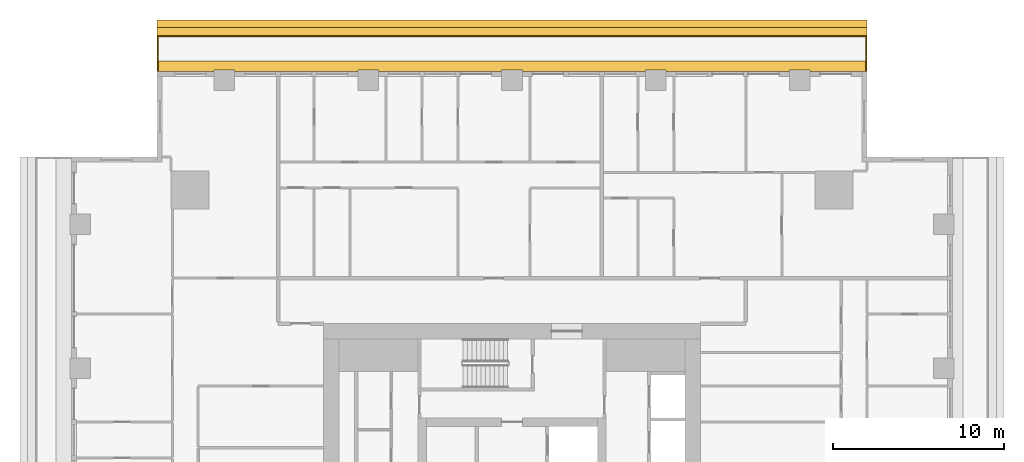
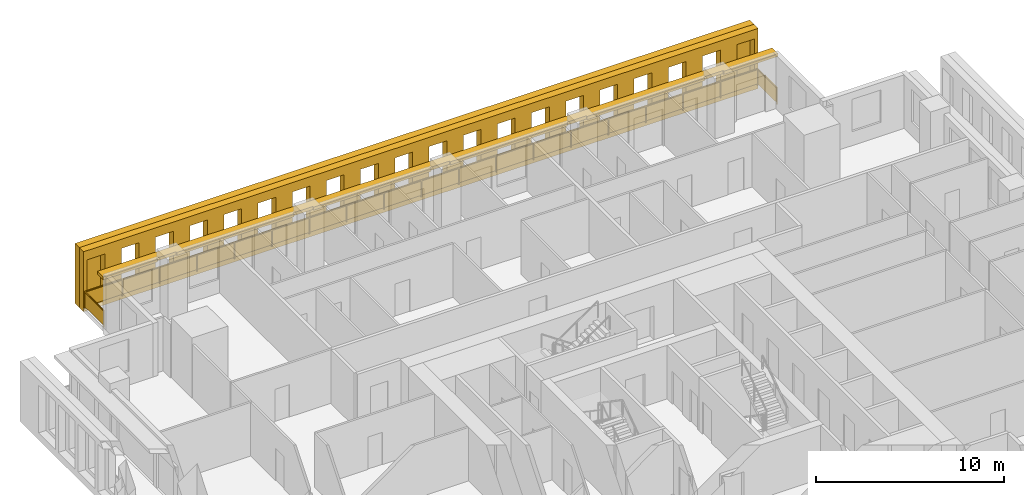
# One storey, part 15 of 15: 3 shading devices, 1 railing.
"""IFC4 building model written with IfcOpenShell, lengths in metres."""

import ifcopenshell
import ifcopenshell.guid

model = None  # the IFC model being written
_history = None  # IfcOwnerHistory: only IFC2X3 demands one
_inside = {}  # id of a spatial element -> (the spatial element, [elements in it])
_under = {}  # id of a project, library or spatial element -> (it, [spatial elements below it])
_declared = {}  # id of a project -> (the project, [libraries it declares])
_typed = {}  # id of a type object -> (the type object, [elements of that type])
_made_of = {}  # id of a material, layer set ... -> (it, [elements and type objects made of it])


def new_model(schema):
    """Start an empty IFC model of exactly this schema.

    Asked for "IFC4X3", IfcOpenShell would pick the latest addendum, in which some entities
    have other attributes; the version numbers below select the first issue.
    IFC2X3 requires an IfcOwnerHistory on every rooted entity: one is made here for all.
    """
    global model, _history
    if schema == "IFC4X3":
        model = ifcopenshell.file(schema_version=(4, 3, 0, 0))
    else:
        model = ifcopenshell.file(schema=schema)
    _inside.clear()
    _under.clear()
    _declared.clear()
    _typed.clear()
    _made_of.clear()
    _history = None
    if model.schema == "IFC2X3":
        org = make("IfcOrganization", Name="unknown")
        user = make(
            "IfcPersonAndOrganization",
            ThePerson=make("IfcPerson", FamilyName="unknown"),
            TheOrganization=org,
        )
        app = make(
            "IfcApplication",
            ApplicationDeveloper=org,
            Version="unknown",
            ApplicationFullName="unknown",
            ApplicationIdentifier="unknown",
        )
        _history = make(
            "IfcOwnerHistory",
            OwningUser=user,
            OwningApplication=app,
            ChangeAction="ADDED",
            CreationDate=0,
        )
    return model


def make(cls, **values):
    """One entity of the class cls with the attributes given. An attribute that is None is left unset."""
    return model.create_entity(
        cls, **{name: value for name, value in values.items() if value is not None}
    )


def rooted(cls, **values):
    """An entity with a GlobalId (a new one), such as an element, a storey or a relation."""
    return make(cls, GlobalId=ifcopenshell.guid.new(), OwnerHistory=_history, **values)


def si_unit(unit_type, name, prefix=None):
    """IfcSIUnit, for example si_unit("LENGTHUNIT", "METRE", prefix="MILLI")."""
    return make("IfcSIUnit", UnitType=unit_type, Prefix=prefix, Name=name)


def assignment(units):
    """IfcUnitAssignment: the units of a project."""
    return None if units is None else make("IfcUnitAssignment", Units=units)


def point(xyz):
    """IfcCartesianPoint."""
    return None if xyz is None else make("IfcCartesianPoint", Coordinates=xyz)


def direction(xyz):
    """IfcDirection."""
    return None if xyz is None else make("IfcDirection", DirectionRatios=xyz)


def frame(location, z_axis=None, x_axis=None):
    """IfcAxis2Placement3D, a coordinate frame: its origin and axes. An axis left out is left unset."""
    return make(
        "IfcAxis2Placement3D",
        Location=point(location),
        Axis=direction(z_axis),
        RefDirection=direction(x_axis),
    )


def frame_2d(location, x_axis=None):
    """IfcAxis2Placement2D, a coordinate frame in the plane: its origin and x axis."""
    return make(
        "IfcAxis2Placement2D", Location=point(location), RefDirection=direction(x_axis)
    )


def origin():
    """The frame at (0, 0, 0) with its axes left unset."""
    return frame((0.0, 0.0, 0.0))


def origin_2d():
    """The frame at (0, 0) in the plane with its x axis left unset."""
    return frame_2d((0.0, 0.0))


def place(relative_to, where):
    """IfcLocalPlacement: puts the frame where relative to a parent placement (None: the world)."""
    return make(
        "IfcLocalPlacement", PlacementRelTo=relative_to, RelativePlacement=where
    )


def context(
    kind, dimensions, precision=None, world=None, true_north=None, identifier=None
):
    """IfcGeometricRepresentationContext, for example the 3D "Model" context."""
    return make(
        "IfcGeometricRepresentationContext",
        ContextIdentifier=identifier,
        ContextType=kind,
        CoordinateSpaceDimension=dimensions,
        Precision=precision,
        WorldCoordinateSystem=world,
        TrueNorth=true_north,
    )


def subcontext(parent, identifier, kind, view, scale=None):
    """IfcGeometricRepresentationSubContext, for example "Body" below "Model"."""
    return make(
        "IfcGeometricRepresentationSubContext",
        ContextIdentifier=identifier,
        ContextType=kind,
        ParentContext=parent,
        TargetScale=scale,
        TargetView=view,
    )


def project(units=None, contexts=None):
    """IfcProject with its units and contexts."""
    return rooted(
        "IfcProject",
        Name="project",
        RepresentationContexts=contexts,
        UnitsInContext=assignment(units),
    )


def spatial(cls, under=None, at=None, **own):
    """A site, building, storey or space (cls), placed at a placement, below another one or the project."""
    s = rooted(cls, ObjectPlacement=at, **own)
    if under is not None:
        _under.setdefault(under.id(), (under, []))[1].append(s)
    return s


def polyline(points):
    """IfcPolyline through the points."""
    return make("IfcPolyline", Points=[point(p) for p in points])


def profile(cls, at=None, kind="AREA", **sizes):
    """A parametric profile (cls). Its sizes go by their IFC names, for example OverallWidth=200.0."""
    return make(cls, ProfileType=kind, Position=at, **sizes)


def rectangle(**sizes):
    """IfcRectangleProfileDef."""
    return profile("IfcRectangleProfileDef", **sizes)


def outline(outer, holes=None, kind="AREA"):
    """IfcArbitraryClosedProfileDef: a profile drawn as a closed curve; with holes, ...WithVoids."""
    if holes is None:
        return make("IfcArbitraryClosedProfileDef", ProfileType=kind, OuterCurve=outer)
    return make(
        "IfcArbitraryProfileDefWithVoids",
        ProfileType=kind,
        OuterCurve=outer,
        InnerCurves=holes,
    )


def extrude(swept, where, along, depth):
    """IfcExtrudedAreaSolid: the profile swept, set in the frame where, extruded along a direction by depth."""
    return make(
        "IfcExtrudedAreaSolid",
        SweptArea=swept,
        Position=where,
        ExtrudedDirection=direction(along),
        Depth=depth,
    )


def shape(context_of_items, identifier, shape_type, items):
    """IfcShapeRepresentation: the items that make up one representation, for example the "Body"."""
    return make(
        "IfcShapeRepresentation",
        ContextOfItems=context_of_items,
        RepresentationIdentifier=identifier,
        RepresentationType=shape_type,
        Items=items,
    )


def material(Name=None, Category=None):
    """IfcMaterial."""
    return make("IfcMaterial", Name=Name, Category=Category)


def layer(
    of_material, thickness, ventilated=None, Name=None, Category=None, Priority=None
):
    """IfcMaterialLayer: one layer of a wall or slab, of a material (None: an air gap)."""
    return make(
        "IfcMaterialLayer",
        Material=of_material,
        LayerThickness=thickness,
        IsVentilated=ventilated,
        Name=Name,
        Category=Category,
        Priority=Priority,
    )


def layer_set(layers, Name=None):
    """IfcMaterialLayerSet."""
    return make("IfcMaterialLayerSet", MaterialLayers=layers, LayerSetName=Name)


def made_of(thing, what):
    """Note that an element or type object is made of a material, layer set ...; save() writes the relation."""
    if what is not None:
        _made_of.setdefault(what.id(), (what, []))[1].append(thing)
    return thing


def type_object(cls, material=None, **own):
    """A type object (cls), such as IfcWallType, which elements share."""
    return made_of(rooted(cls, **own), material)


def element(
    cls,
    number,
    at=None,
    inside=None,
    cuts=None,
    type_object=None,
    material=None,
    context=None,
    identifier="Body",
    shape_type=None,
    held_by="IfcProductDefinitionShape",
    body=None,
    shapes=None,
    **own,
):
    """One element of the class cls, such as IfcWall. Its Tag is "e" and its number.

    at: its placement. inside: the storey or other place that contains it. cuts: it is an
    opening in that element (IfcRelVoidsElement). A single representation is given by context,
    identifier, shape_type and body (its items); several are given by shapes. held_by: the class
    of the entity that holds the representations. save() writes the other relations.
    """
    e = rooted(cls, Tag="e%d" % number, ObjectPlacement=at, **own)
    if body is not None:
        shapes = [shape(context, identifier, shape_type, body)]
    if shapes is not None:
        e.Representation = make(held_by, Representations=shapes)
    if inside is not None:
        _inside.setdefault(inside.id(), (inside, []))[1].append(e)
    if cuts is not None:
        rooted(
            "IfcRelVoidsElement", RelatingBuildingElement=cuts, RelatedOpeningElement=e
        )
    if type_object is not None:
        _typed.setdefault(type_object.id(), (type_object, []))[1].append(e)
    return made_of(e, material)


def aggregate(whole, parts):
    """IfcRelAggregates: a whole, such as a stair, and the parts it consists of."""
    return rooted("IfcRelAggregates", RelatingObject=whole, RelatedObjects=parts)


def save(model, path):
    """Write the relations noted so far, then the file.

    IfcRelAggregates (storeys below a building ...), IfcRelContainedInSpatialStructure (elements
    in a storey), IfcRelDefinesByType, IfcRelAssociatesMaterial and IfcRelDeclares: one each for
    every whole, place, type object, material and project.
    """
    for whole, parts in _under.values():
        aggregate(whole, parts)
    for where, things in _inside.values():
        rooted(
            "IfcRelContainedInSpatialStructure",
            RelatedElements=things,
            RelatingStructure=where,
        )
    for kind, things in _typed.values():
        rooted("IfcRelDefinesByType", RelatedObjects=things, RelatingType=kind)
    for what, things in _made_of.values():
        rooted("IfcRelAssociatesMaterial", RelatedObjects=things, RelatingMaterial=what)
    for by, libraries in _declared.values():
        rooted("IfcRelDeclares", RelatingContext=by, RelatedDefinitions=libraries)
    model.write(path)


model = new_model("IFC4")

# Units and contexts
model_context = context("Model", 3, precision=1e-05, world=origin(), true_north=direction((0.0, 1.0)))
body_context = subcontext(model_context, "Body", "Model", "MODEL_VIEW")
ifc_project = project(units=[si_unit("LENGTHUNIT", "METRE"), si_unit("AREAUNIT", "SQUARE_METRE"), si_unit("VOLUMEUNIT", "CUBIC_METRE"), si_unit("PLANEANGLEUNIT", "RADIAN"), si_unit("MASSUNIT", "GRAM", prefix="KILO")], contexts=[model_context])

# Site, building, storey
site_placement = place(None, origin())
site = spatial("IfcSite", under=ifc_project, at=site_placement, CompositionType="ELEMENT")
building_placement = place(site_placement, origin())
building = spatial("IfcBuilding", under=site, at=building_placement, Name="Khepri Terraces", CompositionType="ELEMENT")
storey_placement = place(building_placement, frame((0.0, 0.0, 248.39990234375)))
storey = spatial("IfcBuildingStorey", under=building, at=storey_placement, Name="L59", CompositionType="ELEMENT", Elevation=248.39990234375)

# Railing
ifc_material_1 = material(Name="Stainless steel grade 316", Category="steel")
railing_type = type_object("IfcRailingType", Name="GRD-BAL-1100", PredefinedType="GUARDRAIL", material=ifc_material_1)
railing_placement = place(storey_placement, frame((20.669921875, 25.719970703125, 0.0)))
element("IfcRailing", 1, at=railing_placement, inside=storey, type_object=railing_type, Name="Balcony guard L59 N", PredefinedType="GUARDRAIL", context=body_context, shape_type="SweptSolid", body=[
    extrude(rectangle(XDim=0.050048828125, YDim=0.06005859375, at=origin_2d()), frame((0.0, 0.0, 1.070068359375), z_axis=(0.0, 1.0, 0.0), x_axis=(-1.0, 0.0, 0.0)), (0.0, 0.0, 1.0), 2.050048828125),
    extrude(rectangle(XDim=2.0, YDim=0.011962890625, at=origin_2d()), frame((0.0, 1.02490234375, 0.10009765625), z_axis=(0.0, 0.0, 1.0), x_axis=(0.0, 1.0, 0.0)), (0.0, 0.0, 1.0), 0.93994140625),
    extrude(rectangle(XDim=0.050048828125, YDim=0.06005859375, at=origin_2d()), frame((0.0, 2.050048828125, 1.070068359375), z_axis=(-1.0, 0.0, 0.0), x_axis=(0.0, -1.0, 0.0)), (0.0, 0.0, 1.0), 41.33984375),
    extrude(rectangle(XDim=2.24658203125, YDim=0.011962890625, at=origin_2d()), frame((-1.1484375, 2.050048828125, 0.10009765625), z_axis=(0.0, 0.0, 1.0), x_axis=(-1.0, 0.0, 0.0)), (0.0, 0.0, 1.0), 0.93994140625),
    extrude(rectangle(XDim=2.24658203125, YDim=0.011962890625, at=origin_2d()), frame((-3.445068359375, 2.050048828125, 0.10009765625), z_axis=(0.0, 0.0, 1.0), x_axis=(-1.0, 0.0, 0.0)), (0.0, 0.0, 1.0), 0.93994140625),
    extrude(rectangle(XDim=2.24658203125, YDim=0.011962890625, at=origin_2d()), frame((-5.74169921875, 2.050048828125, 0.10009765625), z_axis=(0.0, 0.0, 1.0), x_axis=(-1.0, 0.0, 0.0)), (0.0, 0.0, 1.0), 0.93994140625),
    extrude(rectangle(XDim=2.24658203125, YDim=0.011962890625, at=origin_2d()), frame((-8.038330078125, 2.050048828125, 0.10009765625), z_axis=(0.0, 0.0, 1.0), x_axis=(-1.0, 0.0, 0.0)), (0.0, 0.0, 1.0), 0.93994140625),
    extrude(rectangle(XDim=2.24658203125, YDim=0.011962890625, at=origin_2d()), frame((-10.3349609375, 2.050048828125, 0.10009765625), z_axis=(0.0, 0.0, 1.0), x_axis=(-1.0, 0.0, 0.0)), (0.0, 0.0, 1.0), 0.93994140625),
    extrude(rectangle(XDim=2.24658203125, YDim=0.011962890625, at=origin_2d()), frame((-12.631591796875, 2.050048828125, 0.10009765625), z_axis=(0.0, 0.0, 1.0), x_axis=(-1.0, 0.0, 0.0)), (0.0, 0.0, 1.0), 0.93994140625),
    extrude(rectangle(XDim=2.24658203125, YDim=0.011962890625, at=origin_2d()), frame((-14.92822265625, 2.050048828125, 0.10009765625), z_axis=(0.0, 0.0, 1.0), x_axis=(-1.0, 0.0, 0.0)), (0.0, 0.0, 1.0), 0.93994140625),
    extrude(rectangle(XDim=2.24658203125, YDim=0.011962890625, at=origin_2d()), frame((-17.224853515625, 2.050048828125, 0.10009765625), z_axis=(0.0, 0.0, 1.0), x_axis=(-1.0, 0.0, 0.0)), (0.0, 0.0, 1.0), 0.93994140625),
    extrude(rectangle(XDim=2.24658203125, YDim=0.011962890625, at=origin_2d()), frame((-19.521484375, 2.050048828125, 0.10009765625), z_axis=(0.0, 0.0, 1.0), x_axis=(-1.0, 0.0, 0.0)), (0.0, 0.0, 1.0), 0.93994140625),
    extrude(rectangle(XDim=2.24658203125, YDim=0.011962890625, at=origin_2d()), frame((-21.818359375, 2.050048828125, 0.10009765625), z_axis=(0.0, 0.0, 1.0), x_axis=(-1.0, 0.0, 0.0)), (0.0, 0.0, 1.0), 0.93994140625),
    extrude(rectangle(XDim=2.24658203125, YDim=0.011962890625, at=origin_2d()), frame((-24.114990234375, 2.050048828125, 0.10009765625), z_axis=(0.0, 0.0, 1.0), x_axis=(-1.0, 0.0, 0.0)), (0.0, 0.0, 1.0), 0.93994140625),
    extrude(rectangle(XDim=2.24658203125, YDim=0.011962890625, at=origin_2d()), frame((-26.41162109375, 2.050048828125, 0.10009765625), z_axis=(0.0, 0.0, 1.0), x_axis=(-1.0, 0.0, 0.0)), (0.0, 0.0, 1.0), 0.93994140625),
    extrude(rectangle(XDim=2.24658203125, YDim=0.011962890625, at=origin_2d()), frame((-28.708251953125, 2.050048828125, 0.10009765625), z_axis=(0.0, 0.0, 1.0), x_axis=(-1.0, 0.0, 0.0)), (0.0, 0.0, 1.0), 0.93994140625),
    extrude(rectangle(XDim=2.24658203125, YDim=0.011962890625, at=origin_2d()), frame((-31.0048828125, 2.050048828125, 0.10009765625), z_axis=(0.0, 0.0, 1.0), x_axis=(-1.0, 0.0, 0.0)), (0.0, 0.0, 1.0), 0.93994140625),
    extrude(rectangle(XDim=2.24658203125, YDim=0.011962890625, at=origin_2d()), frame((-33.301513671875, 2.050048828125, 0.10009765625), z_axis=(0.0, 0.0, 1.0), x_axis=(-1.0, 0.0, 0.0)), (0.0, 0.0, 1.0), 0.93994140625),
    extrude(rectangle(XDim=2.24658203125, YDim=0.011962890625, at=origin_2d()), frame((-35.59814453125, 2.050048828125, 0.10009765625), z_axis=(0.0, 0.0, 1.0), x_axis=(-1.0, 0.0, 0.0)), (0.0, 0.0, 1.0), 0.93994140625),
    extrude(rectangle(XDim=2.24658203125, YDim=0.011962890625, at=origin_2d()), frame((-37.894775390625, 2.050048828125, 0.10009765625), z_axis=(0.0, 0.0, 1.0), x_axis=(-1.0, 0.0, 0.0)), (0.0, 0.0, 1.0), 0.93994140625),
    extrude(rectangle(XDim=2.24658203125, YDim=0.011962890625, at=origin_2d()), frame((-40.19140625, 2.050048828125, 0.10009765625), z_axis=(0.0, 0.0, 1.0), x_axis=(-1.0, 0.0, 0.0)), (0.0, 0.0, 1.0), 0.93994140625),
    extrude(rectangle(XDim=0.050048828125, YDim=0.06005859375, at=origin_2d()), frame((-41.33984375, 2.050048828125, 1.070068359375), z_axis=(0.0, -1.0, 0.0), x_axis=(1.0, 0.0, 0.0)), (0.0, 0.0, 1.0), 2.050048828125),
    extrude(rectangle(XDim=2.0, YDim=0.011962890625, at=origin_2d()), frame((-41.33984375, 1.02490234375, 0.10009765625), z_axis=(0.0, 0.0, 1.0), x_axis=(0.0, -1.0, 0.0)), (0.0, 0.0, 1.0), 0.93994140625),
    extrude(rectangle(XDim=0.050048828125, YDim=0.050048828125, at=origin_2d()), origin(), (0.0, 0.0, 1.0), 1.0400390625),
    extrude(rectangle(XDim=0.050048828125, YDim=0.050048828125, at=origin_2d()), frame((0.0, 2.050048828125, 0.0)), (0.0, 0.0, 1.0), 1.0400390625),
    extrude(rectangle(XDim=0.050048828125, YDim=0.050048828125, at=origin_2d()), frame((-2.296630859375, 2.050048828125, 0.0)), (0.0, 0.0, 1.0), 1.0400390625),
    extrude(rectangle(XDim=0.050048828125, YDim=0.050048828125, at=origin_2d()), frame((-4.59326171875, 2.050048828125, 0.0)), (0.0, 0.0, 1.0), 1.0400390625),
    extrude(rectangle(XDim=0.050048828125, YDim=0.050048828125, at=origin_2d()), frame((-6.889892578125, 2.050048828125, 0.0)), (0.0, 0.0, 1.0), 1.0400390625),
    extrude(rectangle(XDim=0.050048828125, YDim=0.050048828125, at=origin_2d()), frame((-9.1865234375, 2.050048828125, 0.0)), (0.0, 0.0, 1.0), 1.0400390625),
    extrude(rectangle(XDim=0.050048828125, YDim=0.050048828125, at=origin_2d()), frame((-11.4833984375, 2.050048828125, 0.0)), (0.0, 0.0, 1.0), 1.0400390625),
    extrude(rectangle(XDim=0.050048828125, YDim=0.050048828125, at=origin_2d()), frame((-13.780029296875, 2.050048828125, 0.0)), (0.0, 0.0, 1.0), 1.0400390625),
    extrude(rectangle(XDim=0.050048828125, YDim=0.050048828125, at=origin_2d()), frame((-16.07666015625, 2.050048828125, 0.0)), (0.0, 0.0, 1.0), 1.0400390625),
    extrude(rectangle(XDim=0.050048828125, YDim=0.050048828125, at=origin_2d()), frame((-18.373291015625, 2.050048828125, 0.0)), (0.0, 0.0, 1.0), 1.0400390625),
    extrude(rectangle(XDim=0.050048828125, YDim=0.050048828125, at=origin_2d()), frame((-20.669921875, 2.050048828125, 0.0)), (0.0, 0.0, 1.0), 1.0400390625),
    extrude(rectangle(XDim=0.050048828125, YDim=0.050048828125, at=origin_2d()), frame((-22.966552734375, 2.050048828125, 0.0)), (0.0, 0.0, 1.0), 1.0400390625),
    extrude(rectangle(XDim=0.050048828125, YDim=0.050048828125, at=origin_2d()), frame((-25.26318359375, 2.050048828125, 0.0)), (0.0, 0.0, 1.0), 1.0400390625),
    extrude(rectangle(XDim=0.050048828125, YDim=0.050048828125, at=origin_2d()), frame((-27.559814453125, 2.050048828125, 0.0)), (0.0, 0.0, 1.0), 1.0400390625),
    extrude(rectangle(XDim=0.050048828125, YDim=0.050048828125, at=origin_2d()), frame((-29.8564453125, 2.050048828125, 0.0)), (0.0, 0.0, 1.0), 1.0400390625),
    extrude(rectangle(XDim=0.050048828125, YDim=0.050048828125, at=origin_2d()), frame((-32.1533203125, 2.050048828125, 0.0)), (0.0, 0.0, 1.0), 1.0400390625),
    extrude(rectangle(XDim=0.050048828125, YDim=0.050048828125, at=origin_2d()), frame((-34.449951171875, 2.050048828125, 0.0)), (0.0, 0.0, 1.0), 1.0400390625),
    extrude(rectangle(XDim=0.050048828125, YDim=0.050048828125, at=origin_2d()), frame((-36.74658203125, 2.050048828125, 0.0)), (0.0, 0.0, 1.0), 1.0400390625),
    extrude(rectangle(XDim=0.050048828125, YDim=0.050048828125, at=origin_2d()), frame((-39.043212890625, 2.050048828125, 0.0)), (0.0, 0.0, 1.0), 1.0400390625),
    extrude(rectangle(XDim=0.050048828125, YDim=0.050048828125, at=origin_2d()), frame((-41.33984375, 2.050048828125, 0.0)), (0.0, 0.0, 1.0), 1.0400390625),
    extrude(rectangle(XDim=0.050048828125, YDim=0.050048828125, at=origin_2d()), frame((-41.33984375, 0.0, 0.0)), (0.0, 0.0, 1.0), 1.0400390625),
])

# Shading devices
ifc_material_2 = material(Name="Precast concrete C50/60 warm stone", Category="masonry")
shading_device_type_1 = type_object("IfcShadingDeviceType", Name="SCR-CELL-INNER-450", PredefinedType="USERDEFINED", material=ifc_material_2)
shading_device_1_placement = place(storey_placement, frame((20.719970703125, 27.820068359375, -0.25), z_axis=(0.0, 1.0, 0.0), x_axis=(-1.0, 0.0, 0.0)))
element("IfcShadingDevice", 2, at=shading_device_1_placement, inside=storey, type_object=shading_device_type_1, Name="Cell screen L59 N in", ObjectType="SCREEN", PredefinedType="USERDEFINED", context=body_context, shape_type="SweptSolid", body=[
    extrude(outline(polyline([(0.0, 0.0), (41.43994140625, 0.0), (41.43994140625, 3.89990234375), (0.0, 3.89990234375), (0.0, 0.0)]), holes=[polyline([(0.2265625, 0.699951171875), (1.3134765625, 0.699951171875), (1.3134765625, 3.300048828125), (0.2265625, 3.300048828125), (0.2265625, 0.699951171875)]), polyline([(2.32666015625, 0.699951171875), (3.413330078125, 0.699951171875), (3.413330078125, 3.300048828125), (2.32666015625, 3.300048828125), (2.32666015625, 0.699951171875)]), polyline([(4.426513671875, 0.699951171875), (5.513427734375, 0.699951171875), (5.513427734375, 3.300048828125), (4.426513671875, 3.300048828125), (4.426513671875, 0.699951171875)]), polyline([(6.526611328125, 0.699951171875), (7.61328125, 0.699951171875), (7.61328125, 3.300048828125), (6.526611328125, 3.300048828125), (6.526611328125, 0.699951171875)]), polyline([(8.626708984375, 0.699951171875), (9.71337890625, 0.699951171875), (9.71337890625, 3.300048828125), (8.626708984375, 3.300048828125), (8.626708984375, 0.699951171875)]), polyline([(10.7265625, 0.699951171875), (11.8134765625, 0.699951171875), (11.8134765625, 3.300048828125), (10.7265625, 3.300048828125), (10.7265625, 0.699951171875)]), polyline([(12.82666015625, 0.699951171875), (13.913330078125, 0.699951171875), (13.913330078125, 3.300048828125), (12.82666015625, 3.300048828125), (12.82666015625, 0.699951171875)]), polyline([(14.926513671875, 0.699951171875), (16.013427734375, 0.699951171875), (16.013427734375, 3.300048828125), (14.926513671875, 3.300048828125), (14.926513671875, 0.699951171875)]), polyline([(17.026611328125, 0.699951171875), (18.11328125, 0.699951171875), (18.11328125, 3.300048828125), (17.026611328125, 3.300048828125), (17.026611328125, 0.699951171875)]), polyline([(19.126708984375, 0.699951171875), (20.21337890625, 0.699951171875), (20.21337890625, 3.300048828125), (19.126708984375, 3.300048828125), (19.126708984375, 0.699951171875)]), polyline([(21.2265625, 0.699951171875), (22.3134765625, 0.699951171875), (22.3134765625, 3.300048828125), (21.2265625, 3.300048828125), (21.2265625, 0.699951171875)]), polyline([(23.32666015625, 0.699951171875), (24.413330078125, 0.699951171875), (24.413330078125, 3.300048828125), (23.32666015625, 3.300048828125), (23.32666015625, 0.699951171875)]), polyline([(25.426513671875, 0.699951171875), (26.513427734375, 0.699951171875), (26.513427734375, 3.300048828125), (25.426513671875, 3.300048828125), (25.426513671875, 0.699951171875)]), polyline([(27.526611328125, 0.699951171875), (28.61328125, 0.699951171875), (28.61328125, 3.300048828125), (27.526611328125, 3.300048828125), (27.526611328125, 0.699951171875)]), polyline([(29.626708984375, 0.699951171875), (30.71337890625, 0.699951171875), (30.71337890625, 3.300048828125), (29.626708984375, 3.300048828125), (29.626708984375, 0.699951171875)]), polyline([(31.7265625, 0.699951171875), (32.8134765625, 0.699951171875), (32.8134765625, 3.300048828125), (31.7265625, 3.300048828125), (31.7265625, 0.699951171875)]), polyline([(33.82666015625, 0.699951171875), (34.913330078125, 0.699951171875), (34.913330078125, 3.300048828125), (33.82666015625, 3.300048828125), (33.82666015625, 0.699951171875)]), polyline([(35.926513671875, 0.699951171875), (37.013427734375, 0.699951171875), (37.013427734375, 3.300048828125), (35.926513671875, 3.300048828125), (35.926513671875, 0.699951171875)]), polyline([(38.026611328125, 0.699951171875), (39.11328125, 0.699951171875), (39.11328125, 3.300048828125), (38.026611328125, 3.300048828125), (38.026611328125, 0.699951171875)]), polyline([(40.126708984375, 0.699951171875), (41.21337890625, 0.699951171875), (41.21337890625, 3.300048828125), (40.126708984375, 3.300048828125), (40.126708984375, 0.699951171875)])]), origin(), (0.0, 0.0, 1.0), 0.449951171875),
])
shading_device_type_2 = type_object("IfcShadingDeviceType", Name="SCR-CELL-OUTER-450", PredefinedType="USERDEFINED", material=ifc_material_2)
shading_device_2_placement = place(storey_placement, frame((20.719970703125, 28.27001953125, -0.25), z_axis=(0.0, 1.0, 0.0), x_axis=(-1.0, 0.0, 0.0)))
element("IfcShadingDevice", 3, at=shading_device_2_placement, inside=storey, type_object=shading_device_type_2, Name="Cell screen L59 N out", ObjectType="SCREEN", PredefinedType="USERDEFINED", context=body_context, shape_type="SweptSolid", body=[
    extrude(outline(polyline([(0.0, 0.0), (41.43994140625, 0.0), (41.43994140625, 3.89990234375), (0.0, 3.89990234375), (0.0, 0.0)]), holes=[polyline([(1.9765625, 0.449951171875), (3.763427734375, 0.449951171875), (3.763427734375, 3.550048828125), (1.9765625, 3.550048828125), (1.9765625, 0.449951171875)]), polyline([(4.07666015625, 0.449951171875), (5.86328125, 0.449951171875), (5.86328125, 3.550048828125), (4.07666015625, 3.550048828125), (4.07666015625, 0.449951171875)]), polyline([(6.176513671875, 0.449951171875), (7.96337890625, 0.449951171875), (7.96337890625, 3.550048828125), (6.176513671875, 3.550048828125), (6.176513671875, 0.449951171875)]), polyline([(8.276611328125, 0.449951171875), (10.0634765625, 0.449951171875), (10.0634765625, 3.550048828125), (8.276611328125, 3.550048828125), (8.276611328125, 0.449951171875)]), polyline([(10.376708984375, 0.449951171875), (12.163330078125, 0.449951171875), (12.163330078125, 3.550048828125), (10.376708984375, 3.550048828125), (10.376708984375, 0.449951171875)]), polyline([(12.4765625, 0.449951171875), (14.263427734375, 0.449951171875), (14.263427734375, 3.550048828125), (12.4765625, 3.550048828125), (12.4765625, 0.449951171875)]), polyline([(14.57666015625, 0.449951171875), (16.36328125, 0.449951171875), (16.36328125, 3.550048828125), (14.57666015625, 3.550048828125), (14.57666015625, 0.449951171875)]), polyline([(16.676513671875, 0.449951171875), (18.46337890625, 0.449951171875), (18.46337890625, 3.550048828125), (16.676513671875, 3.550048828125), (16.676513671875, 0.449951171875)]), polyline([(18.776611328125, 0.449951171875), (20.5634765625, 0.449951171875), (20.5634765625, 3.550048828125), (18.776611328125, 3.550048828125), (18.776611328125, 0.449951171875)]), polyline([(20.876708984375, 0.449951171875), (22.663330078125, 0.449951171875), (22.663330078125, 3.550048828125), (20.876708984375, 3.550048828125), (20.876708984375, 0.449951171875)]), polyline([(22.9765625, 0.449951171875), (24.763427734375, 0.449951171875), (24.763427734375, 3.550048828125), (22.9765625, 3.550048828125), (22.9765625, 0.449951171875)]), polyline([(25.07666015625, 0.449951171875), (26.86328125, 0.449951171875), (26.86328125, 3.550048828125), (25.07666015625, 3.550048828125), (25.07666015625, 0.449951171875)]), polyline([(27.176513671875, 0.449951171875), (28.96337890625, 0.449951171875), (28.96337890625, 3.550048828125), (27.176513671875, 3.550048828125), (27.176513671875, 0.449951171875)]), polyline([(29.276611328125, 0.449951171875), (31.0634765625, 0.449951171875), (31.0634765625, 3.550048828125), (29.276611328125, 3.550048828125), (29.276611328125, 0.449951171875)]), polyline([(31.376708984375, 0.449951171875), (33.163330078125, 0.449951171875), (33.163330078125, 3.550048828125), (31.376708984375, 3.550048828125), (31.376708984375, 0.449951171875)]), polyline([(33.4765625, 0.449951171875), (35.263427734375, 0.449951171875), (35.263427734375, 3.550048828125), (33.4765625, 3.550048828125), (33.4765625, 0.449951171875)]), polyline([(35.57666015625, 0.449951171875), (37.36328125, 0.449951171875), (37.36328125, 3.550048828125), (35.57666015625, 3.550048828125), (35.57666015625, 0.449951171875)]), polyline([(37.676513671875, 0.449951171875), (39.46337890625, 0.449951171875), (39.46337890625, 3.550048828125), (37.676513671875, 3.550048828125), (37.676513671875, 0.449951171875)])]), origin(), (0.0, 0.0, 1.0), 0.449951171875),
])
ifc_layer = layer(ifc_material_2, 0.199951171875, Name="Precast concrete C50/60 warm stone", Category="masonry")
ifc_layer_set = layer_set([ifc_layer], Name="Precast concrete C50/60 warm stone")
shading_device_type_3 = type_object("IfcShadingDeviceType", Name="SSH-BAND-STONE-200-N", PredefinedType="USERDEFINED", material=ifc_layer_set)
shading_device_3_placement = place(storey_placement, frame((0.0, 0.0, 3.10009765625)))
element("IfcShadingDevice", 4, at=shading_device_3_placement, inside=storey, type_object=shading_device_type_3, Name="Sunshade band L59 N", ObjectType="SUNSHADE", PredefinedType="USERDEFINED", context=body_context, shape_type="SweptSolid", body=[
    extrude(outline(polyline([(17.39990234375, 25.719970703125), (20.719970703125, 25.719970703125), (20.719970703125, 26.320068359375), (-20.719970703125, 26.320068359375), (-20.719970703125, 25.719970703125), (-17.39990234375, 25.719970703125), (-17.39990234375, 25.800048828125), (-16.199951171875, 25.800048828125), (-16.199951171875, 25.719970703125), (-9.0, 25.719970703125), (-9.0, 25.800048828125), (-7.800048828125, 25.800048828125), (-7.800048828125, 25.719970703125), (-0.60009765625, 25.719970703125), (-0.60009765625, 25.800048828125), (0.60009765625, 25.800048828125), (0.60009765625, 25.719970703125), (7.800048828125, 25.719970703125), (7.800048828125, 25.800048828125), (9.0, 25.800048828125), (9.0, 25.719970703125), (16.199951171875, 25.719970703125), (16.199951171875, 25.800048828125), (17.39990234375, 25.800048828125), (17.39990234375, 25.719970703125)])), origin(), (0.0, 0.0, 1.0), 0.199951171875),
])

save(model, "model.ifc")
